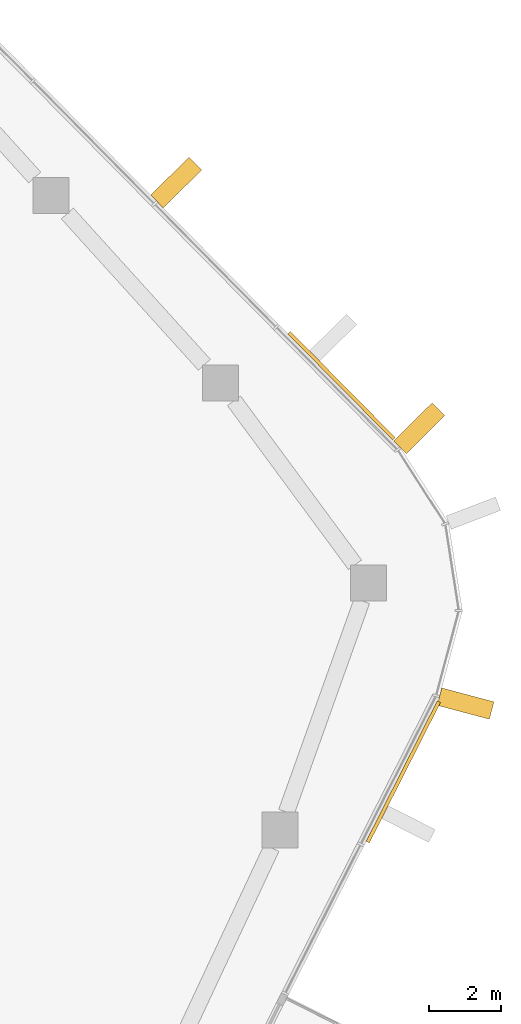
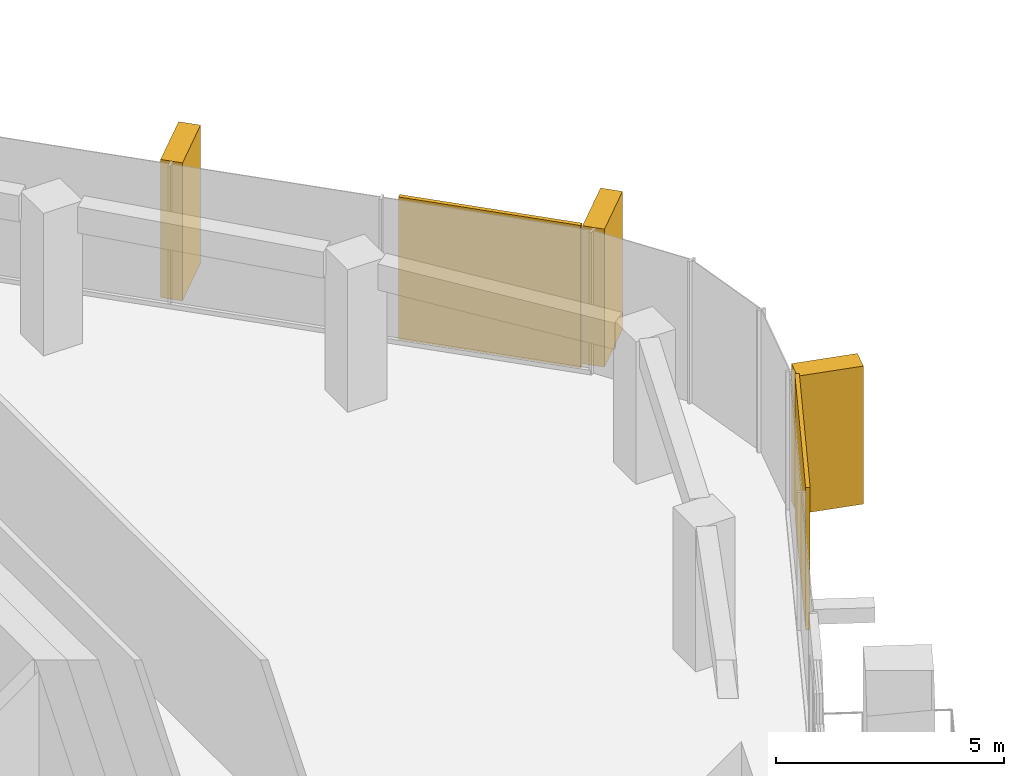
# One storey, part 23 of 23: 5 coverings, 3 elements without a shape of their own.
"""IFC4 building model written with IfcOpenShell, lengths in metres."""

import ifcopenshell
import ifcopenshell.guid

model = None  # the IFC model being written
_history = None  # IfcOwnerHistory: only IFC2X3 demands one
_inside = {}  # id of a spatial element -> (the spatial element, [elements in it])
_under = {}  # id of a project, library or spatial element -> (it, [spatial elements below it])
_declared = {}  # id of a project -> (the project, [libraries it declares])
_typed = {}  # id of a type object -> (the type object, [elements of that type])
_made_of = {}  # id of a material, layer set ... -> (it, [elements and type objects made of it])


def new_model(schema):
    """Start an empty IFC model of exactly this schema.

    Asked for "IFC4X3", IfcOpenShell would pick the latest addendum, in which some entities
    have other attributes; the version numbers below select the first issue.
    IFC2X3 requires an IfcOwnerHistory on every rooted entity: one is made here for all.
    """
    global model, _history
    if schema == "IFC4X3":
        model = ifcopenshell.file(schema_version=(4, 3, 0, 0))
    else:
        model = ifcopenshell.file(schema=schema)
    _inside.clear()
    _under.clear()
    _declared.clear()
    _typed.clear()
    _made_of.clear()
    _history = None
    if model.schema == "IFC2X3":
        org = make("IfcOrganization", Name="unknown")
        user = make(
            "IfcPersonAndOrganization",
            ThePerson=make("IfcPerson", FamilyName="unknown"),
            TheOrganization=org,
        )
        app = make(
            "IfcApplication",
            ApplicationDeveloper=org,
            Version="unknown",
            ApplicationFullName="unknown",
            ApplicationIdentifier="unknown",
        )
        _history = make(
            "IfcOwnerHistory",
            OwningUser=user,
            OwningApplication=app,
            ChangeAction="ADDED",
            CreationDate=0,
        )
    return model


def make(cls, **values):
    """One entity of the class cls with the attributes given. An attribute that is None is left unset."""
    return model.create_entity(
        cls, **{name: value for name, value in values.items() if value is not None}
    )


def rooted(cls, **values):
    """An entity with a GlobalId (a new one), such as an element, a storey or a relation."""
    return make(cls, GlobalId=ifcopenshell.guid.new(), OwnerHistory=_history, **values)


def si_unit(unit_type, name, prefix=None):
    """IfcSIUnit, for example si_unit("LENGTHUNIT", "METRE", prefix="MILLI")."""
    return make("IfcSIUnit", UnitType=unit_type, Prefix=prefix, Name=name)


def assignment(units):
    """IfcUnitAssignment: the units of a project."""
    return None if units is None else make("IfcUnitAssignment", Units=units)


def point(xyz):
    """IfcCartesianPoint."""
    return None if xyz is None else make("IfcCartesianPoint", Coordinates=xyz)


def direction(xyz):
    """IfcDirection."""
    return None if xyz is None else make("IfcDirection", DirectionRatios=xyz)


def frame(location, z_axis=None, x_axis=None):
    """IfcAxis2Placement3D, a coordinate frame: its origin and axes. An axis left out is left unset."""
    return make(
        "IfcAxis2Placement3D",
        Location=point(location),
        Axis=direction(z_axis),
        RefDirection=direction(x_axis),
    )


def frame_2d(location, x_axis=None):
    """IfcAxis2Placement2D, a coordinate frame in the plane: its origin and x axis."""
    return make(
        "IfcAxis2Placement2D", Location=point(location), RefDirection=direction(x_axis)
    )


def origin():
    """The frame at (0, 0, 0) with its axes left unset."""
    return frame((0.0, 0.0, 0.0))


def origin_2d():
    """The frame at (0, 0) in the plane with its x axis left unset."""
    return frame_2d((0.0, 0.0))


def place(relative_to, where):
    """IfcLocalPlacement: puts the frame where relative to a parent placement (None: the world)."""
    return make(
        "IfcLocalPlacement", PlacementRelTo=relative_to, RelativePlacement=where
    )


def context(
    kind, dimensions, precision=None, world=None, true_north=None, identifier=None
):
    """IfcGeometricRepresentationContext, for example the 3D "Model" context."""
    return make(
        "IfcGeometricRepresentationContext",
        ContextIdentifier=identifier,
        ContextType=kind,
        CoordinateSpaceDimension=dimensions,
        Precision=precision,
        WorldCoordinateSystem=world,
        TrueNorth=true_north,
    )


def subcontext(parent, identifier, kind, view, scale=None):
    """IfcGeometricRepresentationSubContext, for example "Body" below "Model"."""
    return make(
        "IfcGeometricRepresentationSubContext",
        ContextIdentifier=identifier,
        ContextType=kind,
        ParentContext=parent,
        TargetScale=scale,
        TargetView=view,
    )


def project(units=None, contexts=None):
    """IfcProject with its units and contexts."""
    return rooted(
        "IfcProject",
        Name="project",
        RepresentationContexts=contexts,
        UnitsInContext=assignment(units),
    )


def spatial(cls, under=None, at=None, **own):
    """A site, building, storey or space (cls), placed at a placement, below another one or the project."""
    s = rooted(cls, ObjectPlacement=at, **own)
    if under is not None:
        _under.setdefault(under.id(), (under, []))[1].append(s)
    return s


def profile(cls, at=None, kind="AREA", **sizes):
    """A parametric profile (cls). Its sizes go by their IFC names, for example OverallWidth=200.0."""
    return make(cls, ProfileType=kind, Position=at, **sizes)


def rectangle(**sizes):
    """IfcRectangleProfileDef."""
    return profile("IfcRectangleProfileDef", **sizes)


def extrude(swept, where, along, depth):
    """IfcExtrudedAreaSolid: the profile swept, set in the frame where, extruded along a direction by depth."""
    return make(
        "IfcExtrudedAreaSolid",
        SweptArea=swept,
        Position=where,
        ExtrudedDirection=direction(along),
        Depth=depth,
    )


def shape(context_of_items, identifier, shape_type, items):
    """IfcShapeRepresentation: the items that make up one representation, for example the "Body"."""
    return make(
        "IfcShapeRepresentation",
        ContextOfItems=context_of_items,
        RepresentationIdentifier=identifier,
        RepresentationType=shape_type,
        Items=items,
    )


def material(Name=None, Category=None):
    """IfcMaterial."""
    return make("IfcMaterial", Name=Name, Category=Category)


def layer(
    of_material, thickness, ventilated=None, Name=None, Category=None, Priority=None
):
    """IfcMaterialLayer: one layer of a wall or slab, of a material (None: an air gap)."""
    return make(
        "IfcMaterialLayer",
        Material=of_material,
        LayerThickness=thickness,
        IsVentilated=ventilated,
        Name=Name,
        Category=Category,
        Priority=Priority,
    )


def layer_set(layers, Name=None):
    """IfcMaterialLayerSet."""
    return make("IfcMaterialLayerSet", MaterialLayers=layers, LayerSetName=Name)


def material_profile(
    of_material, cross_section, Name=None, Category=None, Priority=None
):
    """IfcMaterialProfile: a cross section and its material."""
    return make(
        "IfcMaterialProfile",
        Name=Name,
        Material=of_material,
        Profile=cross_section,
        Priority=Priority,
        Category=Category,
    )


def profile_set(profiles, Name=None, composite=None):
    """IfcMaterialProfileSet."""
    return make(
        "IfcMaterialProfileSet",
        Name=Name,
        MaterialProfiles=profiles,
        CompositeProfile=composite,
    )


def made_of(thing, what):
    """Note that an element or type object is made of a material, layer set ...; save() writes the relation."""
    if what is not None:
        _made_of.setdefault(what.id(), (what, []))[1].append(thing)
    return thing


def type_object(cls, material=None, **own):
    """A type object (cls), such as IfcWallType, which elements share."""
    return made_of(rooted(cls, **own), material)


def element(
    cls,
    number,
    at=None,
    inside=None,
    cuts=None,
    type_object=None,
    material=None,
    context=None,
    identifier="Body",
    shape_type=None,
    held_by="IfcProductDefinitionShape",
    body=None,
    shapes=None,
    **own,
):
    """One element of the class cls, such as IfcWall. Its Tag is "e" and its number.

    at: its placement. inside: the storey or other place that contains it. cuts: it is an
    opening in that element (IfcRelVoidsElement). A single representation is given by context,
    identifier, shape_type and body (its items); several are given by shapes. held_by: the class
    of the entity that holds the representations. save() writes the other relations.
    """
    e = rooted(cls, Tag="e%d" % number, ObjectPlacement=at, **own)
    if body is not None:
        shapes = [shape(context, identifier, shape_type, body)]
    if shapes is not None:
        e.Representation = make(held_by, Representations=shapes)
    if inside is not None:
        _inside.setdefault(inside.id(), (inside, []))[1].append(e)
    if cuts is not None:
        rooted(
            "IfcRelVoidsElement", RelatingBuildingElement=cuts, RelatedOpeningElement=e
        )
    if type_object is not None:
        _typed.setdefault(type_object.id(), (type_object, []))[1].append(e)
    return made_of(e, material)


def aggregate(whole, parts):
    """IfcRelAggregates: a whole, such as a stair, and the parts it consists of."""
    return rooted("IfcRelAggregates", RelatingObject=whole, RelatedObjects=parts)


def save(model, path):
    """Write the relations noted so far, then the file.

    IfcRelAggregates (storeys below a building ...), IfcRelContainedInSpatialStructure (elements
    in a storey), IfcRelDefinesByType, IfcRelAssociatesMaterial and IfcRelDeclares: one each for
    every whole, place, type object, material and project.
    """
    for whole, parts in _under.values():
        aggregate(whole, parts)
    for where, things in _inside.values():
        rooted(
            "IfcRelContainedInSpatialStructure",
            RelatedElements=things,
            RelatingStructure=where,
        )
    for kind, things in _typed.values():
        rooted("IfcRelDefinesByType", RelatedObjects=things, RelatingType=kind)
    for what, things in _made_of.values():
        rooted("IfcRelAssociatesMaterial", RelatedObjects=things, RelatingMaterial=what)
    for by, libraries in _declared.values():
        rooted("IfcRelDeclares", RelatingContext=by, RelatedDefinitions=libraries)
    model.write(path)


model = new_model("IFC4")

# Units and contexts
model_context = context("Model", 3, precision=1e-05, world=origin(), true_north=direction((0.0, 1.0)))
body_context = subcontext(model_context, "Body", "Model", "MODEL_VIEW")
ifc_project = project(units=[si_unit("LENGTHUNIT", "METRE"), si_unit("AREAUNIT", "SQUARE_METRE"), si_unit("VOLUMEUNIT", "CUBIC_METRE"), si_unit("PLANEANGLEUNIT", "RADIAN"), si_unit("MASSUNIT", "GRAM", prefix="KILO")], contexts=[model_context])

# Site, building, storey
site_placement = place(None, origin())
site = spatial("IfcSite", under=ifc_project, at=site_placement, CompositionType="ELEMENT")
building_placement = place(site_placement, origin())
building = spatial("IfcBuilding", under=site, at=building_placement, Name="Dongbaek Canopy Tower", CompositionType="ELEMENT")
storey_placement = place(building_placement, frame((0.0, 0.0, 323.60009765625)))
storey = spatial("IfcBuildingStorey", under=building, at=storey_placement, Name="L69", CompositionType="ELEMENT", Elevation=323.60009765625)

# Curtain wall, covering
ifc_material_1 = material(Name="Aluminium 6063-T6 pale anodised", Category="aluminium")
ifc_layer_1 = layer(ifc_material_1, 0.199951171875)
ifc_layer_set_1 = layer_set([ifc_layer_1], Name="CW-1 unitised tower curtain wall")
curtain_wall_type = type_object("IfcCurtainWallType", Name="CW-1 unitised tower curtain wall", PredefinedType="NOTDEFINED", material=ifc_layer_set_1)
curtain_wall_1_placement = place(storey_placement, origin())
curtain_wall_1 = element("IfcCurtainWall", 1, at=curtain_wall_1_placement, inside=storey, type_object=curtain_wall_type, Name="CW-1 curtain wall F5.1", PredefinedType="NOTDEFINED")
ifc_material_2 = material(Name="Perforated aluminium 6063-T6 pale metal screen", Category="aluminium")
ifc_layer_2 = layer(ifc_material_2, 0.10009765625)
ifc_layer_set_2 = layer_set([ifc_layer_2], Name="Facet screen FS1 100 pale metal")
covering_type_1 = type_object("IfcCoveringType", Name="Facet screen FS1 100 pale metal", PredefinedType="CLADDING", material=ifc_layer_set_2)
covering_1_placement = place(storey_placement, frame((31.778076171875, 1.445068359375, 0.0), z_axis=(0.0, 0.0, 1.0), x_axis=(0.451969260113, 0.892033512775, 0.0)))
covering_1 = element("IfcCovering", 2, at=covering_1_placement, type_object=covering_type_1, Name="Facet screen L69 F5", PredefinedType="CLADDING", context=body_context, shape_type="SweptSolid", body=[
    extrude(rectangle(XDim=4.37060546875, YDim=0.10009765625, at=origin_2d()), origin(), (0.0, 0.0, 1.0), 3.820068359375),
])
aggregate(curtain_wall_1, [covering_1])

curtain_wall_2_placement = place(storey_placement, origin())
curtain_wall_2 = element("IfcCurtainWall", 3, at=curtain_wall_2_placement, inside=storey, type_object=curtain_wall_type, Name="CW-1 curtain wall F0.1", PredefinedType="NOTDEFINED")
covering_2_placement = place(storey_placement, frame((30.05859375, 12.177490234375, 0.0), z_axis=(0.0, 0.0, 1.0), x_axis=(-0.703156472132, 0.711035143787, 0.0)))
covering_2 = element("IfcCovering", 4, at=covering_2_placement, type_object=covering_type_1, Name="Facet screen L69 F0", PredefinedType="CLADDING", context=body_context, shape_type="SweptSolid", body=[
    extrude(rectangle(XDim=4.146728515625, YDim=0.10009765625, at=origin_2d()), origin(), (0.0, 0.0, 1.0), 3.820068359375),
])

curtain_wall_3_placement = place(storey_placement, origin())
curtain_wall_3 = element("IfcCurtainWall", 5, at=curtain_wall_3_placement, inside=storey, type_object=curtain_wall_type, Name="CW-1 curtain wall K0.1", PredefinedType="NOTDEFINED")
ifc_material_3 = material(Name="Aluminium 6063-T6 pale metal fin", Category="aluminium")
ifc_material_profile = material_profile(ifc_material_3, rectangle(XDim=1.5, YDim=0.5, at=origin_2d()), Name="Fin FN1 500 x 1500 pale metal")
ifc_profile_set = profile_set([ifc_material_profile], Name="Aluminium 6063-T6 pale metal fin")
covering_type_2 = type_object("IfcCoveringType", Name="Fin FN1 500 x 1500 pale metal", PredefinedType="CLADDING", material=ifc_profile_set)
covering_3_placement = place(storey_placement, frame((33.50830078125, 3.34326171875, 0.119873046875), z_axis=(0.0, 0.0, 1.0), x_axis=(0.966173872892, -0.257891541817, 0.0)))
covering_3 = element("IfcCovering", 6, at=covering_3_placement, type_object=covering_type_2, Name="Fin K0.1.1", PredefinedType="CLADDING", context=body_context, shape_type="SweptSolid", body=[
    extrude(rectangle(XDim=1.5, YDim=0.5, at=origin_2d()), origin(), (0.0, 0.0, 1.0), 3.699951171875),
])
aggregate(curtain_wall_3, [covering_3])

# Covering
covering_4_placement = place(storey_placement, frame((32.220947265625, 10.9921875, 0.119873046875), z_axis=(0.0, 0.0, 1.0), x_axis=(0.711035260325, 0.703156354287, 0.0)))
covering_4 = element("IfcCovering", 7, at=covering_4_placement, type_object=covering_type_2, Name="Fin F0.1.1", PredefinedType="CLADDING", context=body_context, shape_type="SweptSolid", body=[
    extrude(rectangle(XDim=1.5, YDim=0.5, at=origin_2d()), origin(), (0.0, 0.0, 1.0), 3.699951171875),
])

covering_5_placement = place(storey_placement, frame((25.46728515625, 17.821533203125, 0.119873046875), z_axis=(0.0, 0.0, 1.0), x_axis=(0.711035260325, 0.703156354287, 0.0)))
covering_5 = element("IfcCovering", 8, at=covering_5_placement, type_object=covering_type_2, Name="Fin F0.1.3", PredefinedType="CLADDING", context=body_context, shape_type="SweptSolid", body=[
    extrude(rectangle(XDim=1.5, YDim=0.5, at=origin_2d()), origin(), (0.0, 0.0, 1.0), 3.699951171875),
])

aggregate(curtain_wall_2, [covering_4, covering_5, covering_2])

save(model, "model.ifc")
